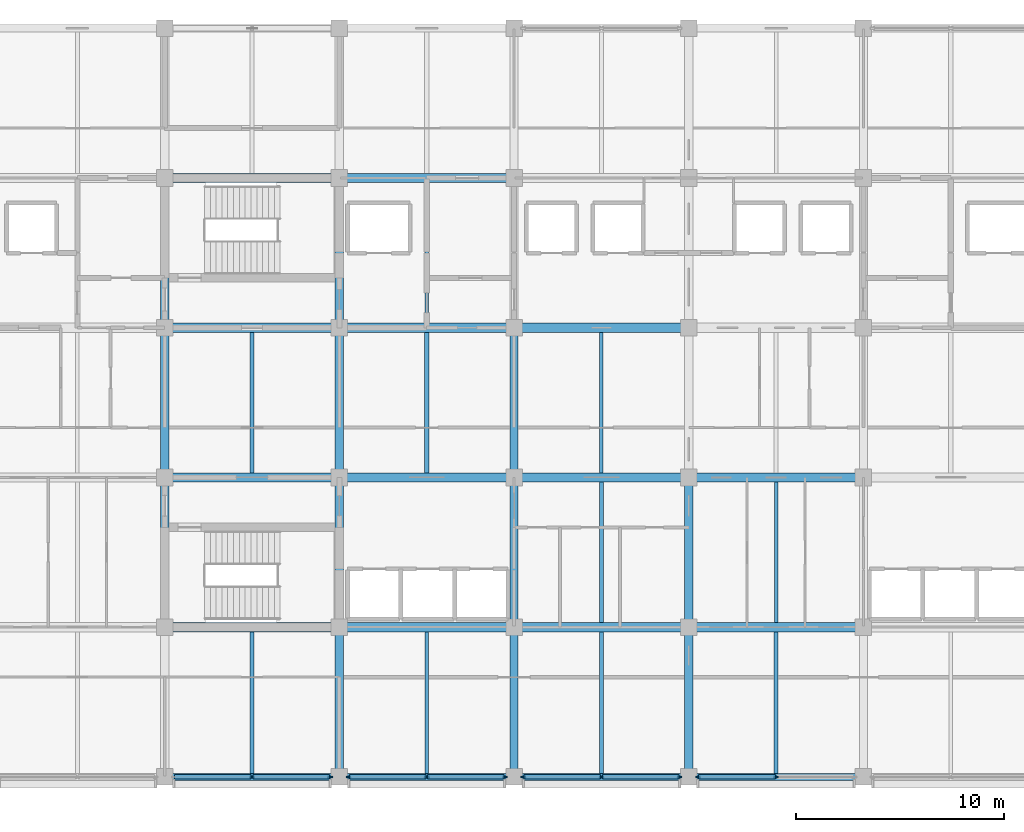
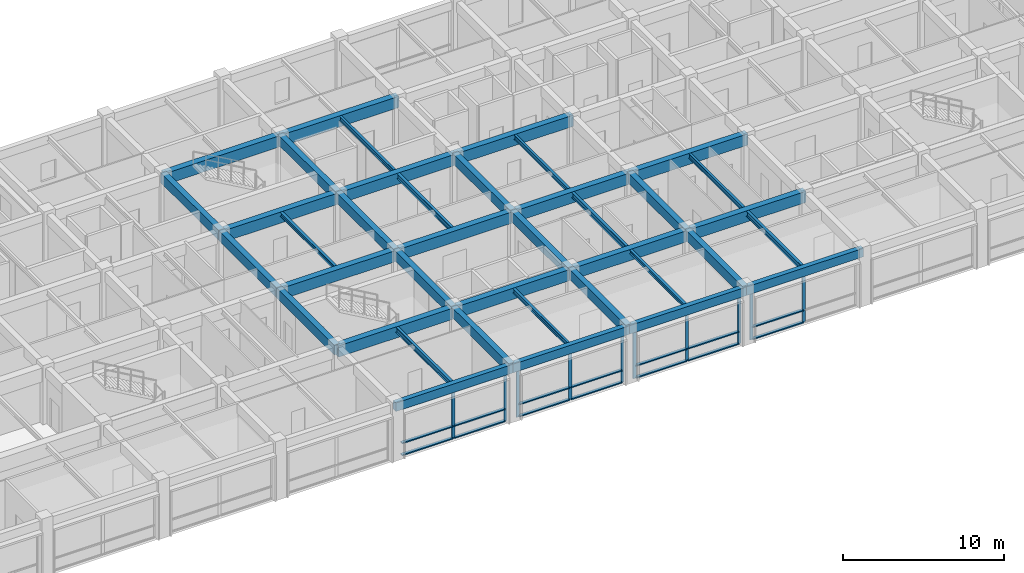
# One storey, part 4 of 30: 39 beams, 31 members, 4 elements without a shape of their own.
"""IFC4 building model written with IfcOpenShell, lengths in metres."""

from ifc_helpers import new_model, si_unit, direction, frame, origin, origin_2d, place, context, subcontext, project, spatial, rectangle, i_section, extrude, material, layer, layer_set, material_profile, profile_set, type_object, element, aggregate, save


model = new_model("IFC4")

# Units and contexts
model_context = context("Model", 3, precision=1e-05, world=origin(), true_north=direction((0.0, 1.0)))
body_context = subcontext(model_context, "Body", "Model", "MODEL_VIEW")
ifc_project = project(units=[si_unit("LENGTHUNIT", "METRE"), si_unit("AREAUNIT", "SQUARE_METRE"), si_unit("VOLUMEUNIT", "CUBIC_METRE"), si_unit("PLANEANGLEUNIT", "RADIAN"), si_unit("MASSUNIT", "GRAM", prefix="KILO")], contexts=[model_context])

# Site, building, storey
site_placement = place(None, origin())
site = spatial("IfcSite", under=ifc_project, at=site_placement, CompositionType="ELEMENT")
building_placement = place(site_placement, origin())
building = spatial("IfcBuilding", under=site, at=building_placement, Name="Chengyuan Square Courthouse", CompositionType="ELEMENT")
storey_placement = place(building_placement, frame((0.0, 0.0, 26.10009765625)))
storey = spatial("IfcBuildingStorey", under=building, at=storey_placement, Name="L06", CompositionType="ELEMENT", Elevation=26.10009765625)

# Beams
ifc_material_1 = material(Name="Concrete C40", Category="concrete")
ifc_material_profile_1 = material_profile(ifc_material_1, rectangle(XDim=0.449951171875, YDim=0.85009765625, at=origin_2d()), Name="RC-BM-450x850")
ifc_profile_set_1 = profile_set([ifc_material_profile_1], Name="Concrete C40")
beam_type_1 = type_object("IfcBeamType", Name="BM-01", PredefinedType="USERDEFINED", material=ifc_profile_set_1)
beam_1_placement = place(storey_placement, frame((58.800048828125, 86.39990234375, 3.81494140625), z_axis=(1.0, 0.0, 0.0), x_axis=(0.0, 1.0, 0.0)))
element("IfcBeam", 1, at=beam_1_placement, inside=storey, type_object=beam_type_1, Name="Girder BM-L06-3403", ObjectType="GIRDER", PredefinedType="USERDEFINED", context=body_context, shape_type="SweptSolid", body=[
    extrude(rectangle(XDim=0.449951171875, YDim=0.85009765625, at=origin_2d()), origin(), (0.0, 0.0, 1.0), 8.39990234375),
])
beam_2_placement = place(storey_placement, frame((67.199951171875, 86.39990234375, 3.81494140625), z_axis=(1.0, 0.0, 0.0), x_axis=(0.0, 1.0, 0.0)))
element("IfcBeam", 2, at=beam_2_placement, inside=storey, type_object=beam_type_1, Name="Girder BM-L06-3404", ObjectType="GIRDER", PredefinedType="USERDEFINED", context=body_context, shape_type="SweptSolid", body=[
    extrude(rectangle(XDim=0.449951171875, YDim=0.85009765625, at=origin_2d()), origin(), (0.0, 0.0, 1.0), 8.400146484375),
])
for number, where, z_axis, x_axis, name in (
    (3, (75.60009765625, 86.39990234375, 3.81494140625), (1.0, 0.0, 0.0), (0.0, 1.0, 0.0), "Girder BM-L06-3405"),
    (4, (84.0, 86.39990234375, 3.81494140625), (1.0, 0.0, 0.0), (0.0, 1.0, 0.0), "Girder BM-L06-3406"),
    (5, (58.800048828125, 93.60009765625, 3.81494140625), (1.0, 0.0, 0.0), (0.0, 1.0, 0.0), "Girder BM-L06-3415"),
):
    element("IfcBeam", number, at=place(storey_placement, frame(where, z_axis=z_axis, x_axis=x_axis)), inside=storey, type_object=beam_type_1, Name=name, ObjectType="GIRDER", PredefinedType="USERDEFINED", context=body_context, shape_type="SweptSolid", body=[
        extrude(rectangle(XDim=0.449951171875, YDim=0.85009765625, at=origin_2d()), origin(), (0.0, 0.0, 1.0), 8.39990234375),
    ])
beam_3_placement = place(storey_placement, frame((67.199951171875, 93.60009765625, 3.81494140625), z_axis=(1.0, 0.0, 0.0), x_axis=(0.0, 1.0, 0.0)))
element("IfcBeam", 6, at=beam_3_placement, inside=storey, type_object=beam_type_1, Name="Girder BM-L06-3416", ObjectType="GIRDER", PredefinedType="USERDEFINED", context=body_context, shape_type="SweptSolid", body=[
    extrude(rectangle(XDim=0.449951171875, YDim=0.85009765625, at=origin_2d()), origin(), (0.0, 0.0, 1.0), 8.400146484375),
])
for number, where, z_axis, x_axis, name in (
    (7, (75.60009765625, 93.60009765625, 3.81494140625), (1.0, 0.0, 0.0), (0.0, 1.0, 0.0), "Girder BM-L06-3417"),
    (8, (84.0, 93.60009765625, 3.81494140625), (1.0, 0.0, 0.0), (0.0, 1.0, 0.0), "Girder BM-L06-3418"),
    (9, (58.800048828125, 100.800048828125, 3.81494140625), (1.0, 0.0, 0.0), (0.0, 1.0, 0.0), "Girder BM-L06-3428"),
):
    element("IfcBeam", number, at=place(storey_placement, frame(where, z_axis=z_axis, x_axis=x_axis)), inside=storey, type_object=beam_type_1, Name=name, ObjectType="GIRDER", PredefinedType="USERDEFINED", context=body_context, shape_type="SweptSolid", body=[
        extrude(rectangle(XDim=0.449951171875, YDim=0.85009765625, at=origin_2d()), origin(), (0.0, 0.0, 1.0), 8.39990234375),
    ])
beam_4_placement = place(storey_placement, frame((67.199951171875, 100.800048828125, 3.81494140625), z_axis=(1.0, 0.0, 0.0), x_axis=(0.0, 1.0, 0.0)))
element("IfcBeam", 10, at=beam_4_placement, inside=storey, type_object=beam_type_1, Name="Girder BM-L06-3429", ObjectType="GIRDER", PredefinedType="USERDEFINED", context=body_context, shape_type="SweptSolid", body=[
    extrude(rectangle(XDim=0.449951171875, YDim=0.85009765625, at=origin_2d()), origin(), (0.0, 0.0, 1.0), 8.400146484375),
])
for number, where, z_axis, x_axis, name in (
    (11, (75.60009765625, 100.800048828125, 3.81494140625), (1.0, 0.0, 0.0), (0.0, 1.0, 0.0), "Girder BM-L06-3430"),
    (12, (58.800048828125, 108.0, 3.81494140625), (1.0, 0.0, 0.0), (0.0, 1.0, 0.0), "Girder BM-L06-3442"),
):
    element("IfcBeam", number, at=place(storey_placement, frame(where, z_axis=z_axis, x_axis=x_axis)), inside=storey, type_object=beam_type_1, Name=name, ObjectType="GIRDER", PredefinedType="USERDEFINED", context=body_context, shape_type="SweptSolid", body=[
        extrude(rectangle(XDim=0.449951171875, YDim=0.85009765625, at=origin_2d()), origin(), (0.0, 0.0, 1.0), 8.39990234375),
    ])
beam_5_placement = place(storey_placement, frame((67.199951171875, 108.0, 3.81494140625), z_axis=(1.0, 0.0, 0.0), x_axis=(0.0, 1.0, 0.0)))
element("IfcBeam", 13, at=beam_5_placement, inside=storey, type_object=beam_type_1, Name="Girder BM-L06-3443", ObjectType="GIRDER", PredefinedType="USERDEFINED", context=body_context, shape_type="SweptSolid", body=[
    extrude(rectangle(XDim=0.449951171875, YDim=0.85009765625, at=origin_2d()), origin(), (0.0, 0.0, 1.0), 8.400146484375),
])
ifc_material_profile_2 = material_profile(ifc_material_1, rectangle(XDim=0.39990234375, YDim=0.75, at=origin_2d()), Name="RC-BM-400x750")
ifc_profile_set_2 = profile_set([ifc_material_profile_2], Name="Concrete C40")
beam_type_2 = type_object("IfcBeamType", Name="BM-02", PredefinedType="USERDEFINED", material=ifc_profile_set_2)
beam_6_placement = place(storey_placement, frame((58.800048828125, 86.39990234375, 3.864990234375), z_axis=(0.0, 1.0, 0.0), x_axis=(-1.0, 0.0, 0.0)))
element("IfcBeam", 14, at=beam_6_placement, inside=storey, type_object=beam_type_2, Name="Girder BM-L06-3475", ObjectType="GIRDER", PredefinedType="USERDEFINED", context=body_context, shape_type="SweptSolid", body=[
    extrude(rectangle(XDim=0.39990234375, YDim=0.75, at=origin_2d()), origin(), (0.0, 0.0, 1.0), 7.2001953125),
])
for number, where, z_axis, x_axis, name in (
    (15, (58.800048828125, 93.60009765625, 3.864990234375), (0.0, 1.0, 0.0), (-1.0, 0.0, 0.0), "Girder BM-L06-3476"),
    (16, (58.800048828125, 100.800048828125, 3.864990234375), (0.0, 1.0, 0.0), (-1.0, 0.0, 0.0), "Girder BM-L06-3477"),
    (17, (67.199951171875, 79.199951171875, 3.864990234375), (0.0, 1.0, 0.0), (-1.0, 0.0, 0.0), "Girder BM-L06-3479"),
):
    element("IfcBeam", number, at=place(storey_placement, frame(where, z_axis=z_axis, x_axis=x_axis)), inside=storey, type_object=beam_type_2, Name=name, ObjectType="GIRDER", PredefinedType="USERDEFINED", context=body_context, shape_type="SweptSolid", body=[
        extrude(rectangle(XDim=0.39990234375, YDim=0.75, at=origin_2d()), origin(), (0.0, 0.0, 1.0), 7.199951171875),
    ])
beam_7_placement = place(storey_placement, frame((67.199951171875, 86.39990234375, 3.864990234375), z_axis=(0.0, 1.0, 0.0), x_axis=(-1.0, 0.0, 0.0)))
element("IfcBeam", 18, at=beam_7_placement, inside=storey, type_object=beam_type_2, Name="Girder BM-L06-3480", ObjectType="GIRDER", PredefinedType="USERDEFINED", context=body_context, shape_type="SweptSolid", body=[
    extrude(rectangle(XDim=0.39990234375, YDim=0.75, at=origin_2d()), origin(), (0.0, 0.0, 1.0), 7.2001953125),
])
for number, where, z_axis, x_axis, name in (
    (19, (67.199951171875, 93.60009765625, 3.864990234375), (0.0, 1.0, 0.0), (-1.0, 0.0, 0.0), "Girder BM-L06-3481"),
    (20, (67.199951171875, 100.800048828125, 3.864990234375), (0.0, 1.0, 0.0), (-1.0, 0.0, 0.0), "Girder BM-L06-3482"),
    (21, (75.60009765625, 79.199951171875, 3.864990234375), (0.0, 1.0, 0.0), (-1.0, 0.0, 0.0), "Girder BM-L06-3484"),
):
    element("IfcBeam", number, at=place(storey_placement, frame(where, z_axis=z_axis, x_axis=x_axis)), inside=storey, type_object=beam_type_2, Name=name, ObjectType="GIRDER", PredefinedType="USERDEFINED", context=body_context, shape_type="SweptSolid", body=[
        extrude(rectangle(XDim=0.39990234375, YDim=0.75, at=origin_2d()), origin(), (0.0, 0.0, 1.0), 7.199951171875),
    ])
beam_8_placement = place(storey_placement, frame((75.60009765625, 86.39990234375, 3.864990234375), z_axis=(0.0, 1.0, 0.0), x_axis=(-1.0, 0.0, 0.0)))
element("IfcBeam", 22, at=beam_8_placement, inside=storey, type_object=beam_type_2, Name="Girder BM-L06-3485", ObjectType="GIRDER", PredefinedType="USERDEFINED", context=body_context, shape_type="SweptSolid", body=[
    extrude(rectangle(XDim=0.39990234375, YDim=0.75, at=origin_2d()), origin(), (0.0, 0.0, 1.0), 7.2001953125),
])
for number, where, z_axis, x_axis, name in (
    (23, (75.60009765625, 93.60009765625, 3.864990234375), (0.0, 1.0, 0.0), (-1.0, 0.0, 0.0), "Girder BM-L06-3486"),
    (24, (84.0, 79.199951171875, 3.864990234375), (0.0, 1.0, 0.0), (-1.0, 0.0, 0.0), "Girder BM-L06-3489"),
):
    element("IfcBeam", number, at=place(storey_placement, frame(where, z_axis=z_axis, x_axis=x_axis)), inside=storey, type_object=beam_type_2, Name=name, ObjectType="GIRDER", PredefinedType="USERDEFINED", context=body_context, shape_type="SweptSolid", body=[
        extrude(rectangle(XDim=0.39990234375, YDim=0.75, at=origin_2d()), origin(), (0.0, 0.0, 1.0), 7.199951171875),
    ])
beam_9_placement = place(storey_placement, frame((84.0, 86.39990234375, 3.864990234375), z_axis=(0.0, 1.0, 0.0), x_axis=(-1.0, 0.0, 0.0)))
element("IfcBeam", 25, at=beam_9_placement, inside=storey, type_object=beam_type_2, Name="Girder BM-L06-3490", ObjectType="GIRDER", PredefinedType="USERDEFINED", context=body_context, shape_type="SweptSolid", body=[
    extrude(rectangle(XDim=0.39990234375, YDim=0.75, at=origin_2d()), origin(), (0.0, 0.0, 1.0), 7.2001953125),
])
ifc_material_profile_3 = material_profile(ifc_material_1, rectangle(XDim=0.35009765625, YDim=0.64990234375, at=origin_2d()), Name="RC-BM-350x650")
ifc_profile_set_3 = profile_set([ifc_material_profile_3], Name="Concrete C40")
beam_type_3 = type_object("IfcBeamType", Name="BM-03", PredefinedType="SPANDREL", material=ifc_profile_set_3)
beam_10_placement = place(storey_placement, frame((58.800048828125, 79.199951171875, 3.914794921875), z_axis=(1.0, 0.0, 0.0), x_axis=(0.0, 1.0, 0.0)))
element("IfcBeam", 26, at=beam_10_placement, inside=storey, type_object=beam_type_3, Name="Girder BM-L06-3390", PredefinedType="SPANDREL", context=body_context, shape_type="SweptSolid", body=[
    extrude(rectangle(XDim=0.35009765625, YDim=0.64990234375, at=origin_2d()), origin(), (0.0, 0.0, 1.0), 8.39990234375),
])
beam_11_placement = place(storey_placement, frame((67.199951171875, 79.199951171875, 3.914794921875), z_axis=(1.0, 0.0, 0.0), x_axis=(0.0, 1.0, 0.0)))
element("IfcBeam", 27, at=beam_11_placement, inside=storey, type_object=beam_type_3, Name="Girder BM-L06-3391", PredefinedType="SPANDREL", context=body_context, shape_type="SweptSolid", body=[
    extrude(rectangle(XDim=0.35009765625, YDim=0.64990234375, at=origin_2d()), origin(), (0.0, 0.0, 1.0), 8.400146484375),
])
for number, where, z_axis, x_axis, name in (
    (28, (75.60009765625, 79.199951171875, 3.914794921875), (1.0, 0.0, 0.0), (0.0, 1.0, 0.0), "Girder BM-L06-3392"),
    (29, (84.0, 79.199951171875, 3.914794921875), (1.0, 0.0, 0.0), (0.0, 1.0, 0.0), "Girder BM-L06-3393"),
):
    element("IfcBeam", number, at=place(storey_placement, frame(where, z_axis=z_axis, x_axis=x_axis)), inside=storey, type_object=beam_type_3, Name=name, PredefinedType="SPANDREL", context=body_context, shape_type="SweptSolid", body=[
        extrude(rectangle(XDim=0.35009765625, YDim=0.64990234375, at=origin_2d()), origin(), (0.0, 0.0, 1.0), 8.39990234375),
    ])
ifc_material_2 = material(Name="Steel Q355B", Category="steel")
ifc_material_profile_4 = material_profile(ifc_material_2, i_section(OverallWidth=0.199951171875, OverallDepth=0.39990234375, WebThickness=0.008056640625, FlangeThickness=0.012939453125, at=origin_2d()), Name="HN 400x200x8x13")
ifc_profile_set_4 = profile_set([ifc_material_profile_4], Name="Steel Q355B")
beam_type_4 = type_object("IfcBeamType", Name="BM-07", PredefinedType="BEAM", material=ifc_profile_set_4)
beam_12_placement = place(storey_placement, frame((63.0, 79.375, 4.039794921875), z_axis=(0.0, 1.0, 0.0), x_axis=(-1.0, 0.0, 0.0)))
element("IfcBeam", 30, at=beam_12_placement, inside=storey, type_object=beam_type_4, Name="Secondary Floor Beam SBM-L06-3539", PredefinedType="BEAM", context=body_context, shape_type="SweptSolid", body=[
    extrude(i_section(OverallWidth=0.199951171875, OverallDepth=0.39990234375, WebThickness=0.008056640625, FlangeThickness=0.012939453125, at=origin_2d()), origin(), (0.0, 0.0, 1.0), 6.800048828125),
])
for number, where, z_axis, x_axis, name in (
    (31, (71.39990234375, 93.824951171875, 4.039794921875), (0.0, 1.0, 0.0), (-1.0, 0.0, 0.0), "Secondary Floor Beam SBM-L06-3543"),
    (32, (79.800048828125, 86.625, 4.039794921875), (0.0, 1.0, 0.0), (-1.0, 0.0, 0.0), "Secondary Floor Beam SBM-L06-3547"),
):
    element("IfcBeam", number, at=place(storey_placement, frame(where, z_axis=z_axis, x_axis=x_axis)), inside=storey, type_object=beam_type_4, Name=name, PredefinedType="BEAM", context=body_context, shape_type="SweptSolid", body=[
        extrude(i_section(OverallWidth=0.199951171875, OverallDepth=0.39990234375, WebThickness=0.008056640625, FlangeThickness=0.012939453125, at=origin_2d()), origin(), (0.0, 0.0, 1.0), 6.75),
    ])
beam_13_placement = place(storey_placement, frame((88.199951171875, 79.375, 4.039794921875), z_axis=(0.0, 1.0, 0.0), x_axis=(-1.0, 0.0, 0.0)))
element("IfcBeam", 33, at=beam_13_placement, inside=storey, type_object=beam_type_4, Name="Secondary Floor Beam SBM-L06-3550", PredefinedType="BEAM", context=body_context, shape_type="SweptSolid", body=[
    extrude(i_section(OverallWidth=0.199951171875, OverallDepth=0.39990234375, WebThickness=0.008056640625, FlangeThickness=0.012939453125, at=origin_2d()), origin(), (0.0, 0.0, 1.0), 6.800048828125),
])
ifc_material_profile_5 = material_profile(ifc_material_2, i_section(OverallWidth=0.175048828125, OverallDepth=0.35009765625, WebThickness=0.007080078125, FlangeThickness=0.010986328125, at=origin_2d()), Name="HN 350x175x7x11")
ifc_profile_set_5 = profile_set([ifc_material_profile_5], Name="Steel Q355B")
beam_type_5 = type_object("IfcBeamType", Name="BM-08", PredefinedType="BEAM", material=ifc_profile_set_5)
beam_14_placement = place(storey_placement, frame((71.39990234375, 79.375, 4.06494140625), z_axis=(0.0, 1.0, 0.0), x_axis=(-1.0, 0.0, 0.0)))
element("IfcBeam", 34, at=beam_14_placement, inside=storey, type_object=beam_type_5, Name="Secondary Floor Beam SBM-L06-3542", PredefinedType="BEAM", context=body_context, shape_type="SweptSolid", body=[
    extrude(i_section(OverallWidth=0.175048828125, OverallDepth=0.35009765625, WebThickness=0.007080078125, FlangeThickness=0.010986328125, at=origin_2d()), origin(), (0.0, 0.0, 1.0), 6.800048828125),
])
for number, where, z_axis, x_axis, name in (
    (35, (71.39990234375, 101.02490234375, 4.06494140625), (0.0, 1.0, 0.0), (-1.0, 0.0, 0.0), "Secondary Floor Beam SBM-L06-3544"),
    (36, (79.800048828125, 93.824951171875, 4.06494140625), (0.0, 1.0, 0.0), (-1.0, 0.0, 0.0), "Secondary Floor Beam SBM-L06-3548"),
    (37, (88.199951171875, 86.625, 4.06494140625), (0.0, 1.0, 0.0), (-1.0, 0.0, 0.0), "Secondary Floor Beam SBM-L06-3551"),
):
    element("IfcBeam", number, at=place(storey_placement, frame(where, z_axis=z_axis, x_axis=x_axis)), inside=storey, type_object=beam_type_5, Name=name, PredefinedType="BEAM", context=body_context, shape_type="SweptSolid", body=[
        extrude(i_section(OverallWidth=0.175048828125, OverallDepth=0.35009765625, WebThickness=0.007080078125, FlangeThickness=0.010986328125, at=origin_2d()), origin(), (0.0, 0.0, 1.0), 6.75),
    ])
ifc_material_profile_6 = material_profile(ifc_material_2, i_section(OverallWidth=0.199951171875, OverallDepth=0.300048828125, WebThickness=0.008056640625, FlangeThickness=0.011962890625, at=origin_2d()), Name="HM 300x200x8x12")
ifc_profile_set_6 = profile_set([ifc_material_profile_6], Name="Steel Q355B")
beam_type_6 = type_object("IfcBeamType", Name="BM-09", PredefinedType="BEAM", material=ifc_profile_set_6)
beam_15_placement = place(storey_placement, frame((63.0, 93.824951171875, 4.08984375), z_axis=(0.0, 1.0, 0.0), x_axis=(-1.0, 0.0, 0.0)))
element("IfcBeam", 38, at=beam_15_placement, inside=storey, type_object=beam_type_6, Name="Secondary Floor Beam SBM-L06-3540", PredefinedType="BEAM", context=body_context, shape_type="SweptSolid", body=[
    extrude(i_section(OverallWidth=0.199951171875, OverallDepth=0.300048828125, WebThickness=0.008056640625, FlangeThickness=0.011962890625, at=origin_2d()), origin(), (0.0, 0.0, 1.0), 6.75),
])
beam_16_placement = place(storey_placement, frame((79.800048828125, 79.375, 4.08984375), z_axis=(0.0, 1.0, 0.0), x_axis=(-1.0, 0.0, 0.0)))
element("IfcBeam", 39, at=beam_16_placement, inside=storey, type_object=beam_type_6, Name="Secondary Floor Beam SBM-L06-3546", PredefinedType="BEAM", context=body_context, shape_type="SweptSolid", body=[
    extrude(i_section(OverallWidth=0.199951171875, OverallDepth=0.300048828125, WebThickness=0.008056640625, FlangeThickness=0.011962890625, at=origin_2d()), origin(), (0.0, 0.0, 1.0), 6.800048828125),
])

# Curtain wall, members
ifc_material_3 = material(Name="Unitised Aluminium and Triple Low-E Glass", Category="aluminium")
ifc_layer = layer(ifc_material_3, 0.219970703125)
ifc_layer_set = layer_set([ifc_layer], Name="Unitised Aluminium and Triple Low-E Glass")
curtain_wall_type = type_object("IfcCurtainWallType", Name="CW-16", PredefinedType="USERDEFINED", material=ifc_layer_set)
curtain_wall_1_placement = place(storey_placement, origin())
curtain_wall_1 = element("IfcCurtainWall", 40, at=curtain_wall_1_placement, inside=storey, type_object=curtain_wall_type, Name="Unitised Curtain Wall CW-L06-187", ObjectType="UNITISED CURTAIN WALL", PredefinedType="USERDEFINED")
ifc_material_4 = material(Name="Aluminium 6063-T6 Frame", Category="aluminium")
ifc_material_profile_7 = material_profile(ifc_material_4, rectangle(XDim=0.080078125, YDim=0.219970703125, at=origin_2d()), Name="CW-MUL-80x220")
ifc_profile_set_7 = profile_set([ifc_material_profile_7], Name="Aluminium 6063-T6 Frame")
member_type_1 = type_object("IfcMemberType", Name="CWM-04", PredefinedType="MULLION", material=ifc_profile_set_7)
member_1_placement = place(storey_placement, frame((63.0, 79.199951171875, 0.0), z_axis=(0.0, 0.0, 1.0), x_axis=(0.0, 1.0, 0.0)))
member_1 = element("IfcMember", 41, at=member_1_placement, type_object=member_type_1, Name="CW-16 mullion 2", PredefinedType="MULLION", context=body_context, shape_type="SweptSolid", body=[
    extrude(rectangle(XDim=0.080078125, YDim=0.219970703125, at=origin_2d()), origin(), (0.0, 0.0, 1.0), 3.58984375),
])
member_2_placement = place(storey_placement, frame((66.760009765625, 79.199951171875, 0.0), z_axis=(0.0, 0.0, 1.0), x_axis=(0.0, 1.0, 0.0)))
member_2 = element("IfcMember", 42, at=member_2_placement, type_object=member_type_1, Name="CW-16 mullion 3", PredefinedType="MULLION", context=body_context, shape_type="SweptSolid", body=[
    extrude(rectangle(XDim=0.080078125, YDim=0.219970703125, at=origin_2d()), origin(), (0.0, 0.0, 1.0), 3.58984375),
])

curtain_wall_2_placement = place(storey_placement, origin())
curtain_wall_2 = element("IfcCurtainWall", 43, at=curtain_wall_2_placement, inside=storey, type_object=curtain_wall_type, Name="Unitised Curtain Wall CW-L06-188", ObjectType="UNITISED CURTAIN WALL", PredefinedType="USERDEFINED")
member_3_placement = place(storey_placement, frame((67.639892578125, 79.199951171875, 0.0), z_axis=(0.0, 0.0, 1.0), x_axis=(0.0, 1.0, 0.0)))
member_3 = element("IfcMember", 44, at=member_3_placement, type_object=member_type_1, Name="CW-16 mullion 1", PredefinedType="MULLION", context=body_context, shape_type="SweptSolid", body=[
    extrude(rectangle(XDim=0.080078125, YDim=0.219970703125, at=origin_2d()), origin(), (0.0, 0.0, 1.0), 3.58984375),
])
member_4_placement = place(storey_placement, frame((71.39990234375, 79.199951171875, 0.0), z_axis=(0.0, 0.0, 1.0), x_axis=(0.0, 1.0, 0.0)))
member_4 = element("IfcMember", 45, at=member_4_placement, type_object=member_type_1, Name="CW-16 mullion 2", PredefinedType="MULLION", context=body_context, shape_type="SweptSolid", body=[
    extrude(rectangle(XDim=0.080078125, YDim=0.219970703125, at=origin_2d()), origin(), (0.0, 0.0, 1.0), 3.58984375),
])
member_5_placement = place(storey_placement, frame((75.159912109375, 79.199951171875, 0.0), z_axis=(0.0, 0.0, 1.0), x_axis=(0.0, 1.0, 0.0)))
member_5 = element("IfcMember", 46, at=member_5_placement, type_object=member_type_1, Name="CW-16 mullion 3", PredefinedType="MULLION", context=body_context, shape_type="SweptSolid", body=[
    extrude(rectangle(XDim=0.080078125, YDim=0.219970703125, at=origin_2d()), origin(), (0.0, 0.0, 1.0), 3.58984375),
])

curtain_wall_3_placement = place(storey_placement, origin())
curtain_wall_3 = element("IfcCurtainWall", 47, at=curtain_wall_3_placement, inside=storey, type_object=curtain_wall_type, Name="Unitised Curtain Wall CW-L06-189", ObjectType="UNITISED CURTAIN WALL", PredefinedType="USERDEFINED")
member_6_placement = place(storey_placement, frame((76.0400390625, 79.199951171875, 0.0), z_axis=(0.0, 0.0, 1.0), x_axis=(0.0, 1.0, 0.0)))
member_6 = element("IfcMember", 48, at=member_6_placement, type_object=member_type_1, Name="CW-16 mullion 1", PredefinedType="MULLION", context=body_context, shape_type="SweptSolid", body=[
    extrude(rectangle(XDim=0.080078125, YDim=0.219970703125, at=origin_2d()), origin(), (0.0, 0.0, 1.0), 3.58984375),
])
member_7_placement = place(storey_placement, frame((79.800048828125, 79.199951171875, 0.0), z_axis=(0.0, 0.0, 1.0), x_axis=(0.0, 1.0, 0.0)))
member_7 = element("IfcMember", 49, at=member_7_placement, type_object=member_type_1, Name="CW-16 mullion 2", PredefinedType="MULLION", context=body_context, shape_type="SweptSolid", body=[
    extrude(rectangle(XDim=0.080078125, YDim=0.219970703125, at=origin_2d()), origin(), (0.0, 0.0, 1.0), 3.58984375),
])
member_8_placement = place(storey_placement, frame((83.56005859375, 79.199951171875, 0.0), z_axis=(0.0, 0.0, 1.0), x_axis=(0.0, 1.0, 0.0)))
member_8 = element("IfcMember", 50, at=member_8_placement, type_object=member_type_1, Name="CW-16 mullion 3", PredefinedType="MULLION", context=body_context, shape_type="SweptSolid", body=[
    extrude(rectangle(XDim=0.080078125, YDim=0.219970703125, at=origin_2d()), origin(), (0.0, 0.0, 1.0), 3.58984375),
])

curtain_wall_4_placement = place(storey_placement, origin())
curtain_wall_4 = element("IfcCurtainWall", 51, at=curtain_wall_4_placement, inside=storey, type_object=curtain_wall_type, Name="Unitised Curtain Wall CW-L06-191", ObjectType="UNITISED CURTAIN WALL", PredefinedType="USERDEFINED")
member_9_placement = place(storey_placement, frame((84.43994140625, 79.199951171875, 0.0), z_axis=(0.0, 0.0, 1.0), x_axis=(0.0, 1.0, 0.0)))
member_9 = element("IfcMember", 52, at=member_9_placement, type_object=member_type_1, Name="CW-16 mullion 1", PredefinedType="MULLION", context=body_context, shape_type="SweptSolid", body=[
    extrude(rectangle(XDim=0.080078125, YDim=0.219970703125, at=origin_2d()), origin(), (0.0, 0.0, 1.0), 3.58984375),
])
member_10_placement = place(storey_placement, frame((88.199951171875, 79.199951171875, 0.0), z_axis=(0.0, 0.0, 1.0), x_axis=(0.0, 1.0, 0.0)))
member_10 = element("IfcMember", 53, at=member_10_placement, type_object=member_type_1, Name="CW-16 mullion 2", PredefinedType="MULLION", context=body_context, shape_type="SweptSolid", body=[
    extrude(rectangle(XDim=0.080078125, YDim=0.219970703125, at=origin_2d()), origin(), (0.0, 0.0, 1.0), 3.58984375),
])

# Member
ifc_material_profile_8 = material_profile(ifc_material_4, rectangle(XDim=0.219970703125, YDim=0.080078125, at=origin_2d()), Name="CW-TRN-80x180")
ifc_profile_set_8 = profile_set([ifc_material_profile_8], Name="Aluminium 6063-T6 Frame")
member_type_2 = type_object("IfcMemberType", Name="CWT-04", PredefinedType="USERDEFINED", material=ifc_profile_set_8)
member_11_placement = place(storey_placement, frame((59.280029296875, 79.199951171875, 0.039794921875), z_axis=(1.0, 0.0, 0.0), x_axis=(0.0, 1.0, 0.0)))
member_11 = element("IfcMember", 54, at=member_11_placement, type_object=member_type_2, Name="CW-16 transom 1.1", ObjectType="TRANSOM", PredefinedType="USERDEFINED", context=body_context, shape_type="SweptSolid", body=[
    extrude(rectangle(XDim=0.219970703125, YDim=0.080078125, at=origin_2d()), origin(), (0.0, 0.0, 1.0), 3.679931640625),
])

member_12_placement = place(storey_placement, frame((59.280029296875, 79.199951171875, 0.949951171875), z_axis=(1.0, 0.0, 0.0), x_axis=(0.0, 1.0, 0.0)))
member_12 = element("IfcMember", 55, at=member_12_placement, type_object=member_type_2, Name="CW-16 transom 1.2", ObjectType="TRANSOM", PredefinedType="USERDEFINED", context=body_context, shape_type="SweptSolid", body=[
    extrude(rectangle(XDim=0.219970703125, YDim=0.080078125, at=origin_2d()), origin(), (0.0, 0.0, 1.0), 3.679931640625),
])

member_13_placement = place(storey_placement, frame((59.280029296875, 79.199951171875, 3.5498046875), z_axis=(1.0, 0.0, 0.0), x_axis=(0.0, 1.0, 0.0)))
member_13 = element("IfcMember", 56, at=member_13_placement, type_object=member_type_2, Name="CW-16 transom 1.3", ObjectType="TRANSOM", PredefinedType="USERDEFINED", context=body_context, shape_type="SweptSolid", body=[
    extrude(rectangle(XDim=0.219970703125, YDim=0.080078125, at=origin_2d()), origin(), (0.0, 0.0, 1.0), 3.679931640625),
])

member_14_placement = place(storey_placement, frame((63.0400390625, 79.199951171875, 0.039794921875), z_axis=(1.0, 0.0, 0.0), x_axis=(0.0, 1.0, 0.0)))
member_14 = element("IfcMember", 57, at=member_14_placement, type_object=member_type_2, Name="CW-16 transom 2.1", ObjectType="TRANSOM", PredefinedType="USERDEFINED", context=body_context, shape_type="SweptSolid", body=[
    extrude(rectangle(XDim=0.219970703125, YDim=0.080078125, at=origin_2d()), origin(), (0.0, 0.0, 1.0), 3.679931640625),
])

member_15_placement = place(storey_placement, frame((63.0400390625, 79.199951171875, 0.949951171875), z_axis=(1.0, 0.0, 0.0), x_axis=(0.0, 1.0, 0.0)))
member_15 = element("IfcMember", 58, at=member_15_placement, type_object=member_type_2, Name="CW-16 transom 2.2", ObjectType="TRANSOM", PredefinedType="USERDEFINED", context=body_context, shape_type="SweptSolid", body=[
    extrude(rectangle(XDim=0.219970703125, YDim=0.080078125, at=origin_2d()), origin(), (0.0, 0.0, 1.0), 3.679931640625),
])

member_16_placement = place(storey_placement, frame((63.0400390625, 79.199951171875, 3.5498046875), z_axis=(1.0, 0.0, 0.0), x_axis=(0.0, 1.0, 0.0)))
member_16 = element("IfcMember", 59, at=member_16_placement, type_object=member_type_2, Name="CW-16 transom 2.3", ObjectType="TRANSOM", PredefinedType="USERDEFINED", context=body_context, shape_type="SweptSolid", body=[
    extrude(rectangle(XDim=0.219970703125, YDim=0.080078125, at=origin_2d()), origin(), (0.0, 0.0, 1.0), 3.679931640625),
])

aggregate(curtain_wall_1, [member_1, member_2, member_11, member_12, member_13, member_14, member_15, member_16])

member_17_placement = place(storey_placement, frame((67.679931640625, 79.199951171875, 0.039794921875), z_axis=(1.0, 0.0, 0.0), x_axis=(0.0, 1.0, 0.0)))
member_17 = element("IfcMember", 60, at=member_17_placement, type_object=member_type_2, Name="CW-16 transom 1.1", ObjectType="TRANSOM", PredefinedType="USERDEFINED", context=body_context, shape_type="SweptSolid", body=[
    extrude(rectangle(XDim=0.219970703125, YDim=0.080078125, at=origin_2d()), origin(), (0.0, 0.0, 1.0), 3.68017578125),
])

member_18_placement = place(storey_placement, frame((67.679931640625, 79.199951171875, 0.949951171875), z_axis=(1.0, 0.0, 0.0), x_axis=(0.0, 1.0, 0.0)))
member_18 = element("IfcMember", 61, at=member_18_placement, type_object=member_type_2, Name="CW-16 transom 1.2", ObjectType="TRANSOM", PredefinedType="USERDEFINED", context=body_context, shape_type="SweptSolid", body=[
    extrude(rectangle(XDim=0.219970703125, YDim=0.080078125, at=origin_2d()), origin(), (0.0, 0.0, 1.0), 3.68017578125),
])

member_19_placement = place(storey_placement, frame((67.679931640625, 79.199951171875, 3.5498046875), z_axis=(1.0, 0.0, 0.0), x_axis=(0.0, 1.0, 0.0)))
member_19 = element("IfcMember", 62, at=member_19_placement, type_object=member_type_2, Name="CW-16 transom 1.3", ObjectType="TRANSOM", PredefinedType="USERDEFINED", context=body_context, shape_type="SweptSolid", body=[
    extrude(rectangle(XDim=0.219970703125, YDim=0.080078125, at=origin_2d()), origin(), (0.0, 0.0, 1.0), 3.68017578125),
])

member_20_placement = place(storey_placement, frame((71.43994140625, 79.199951171875, 0.039794921875), z_axis=(1.0, 0.0, 0.0), x_axis=(0.0, 1.0, 0.0)))
member_20 = element("IfcMember", 63, at=member_20_placement, type_object=member_type_2, Name="CW-16 transom 2.1", ObjectType="TRANSOM", PredefinedType="USERDEFINED", context=body_context, shape_type="SweptSolid", body=[
    extrude(rectangle(XDim=0.219970703125, YDim=0.080078125, at=origin_2d()), origin(), (0.0, 0.0, 1.0), 3.68017578125),
])

member_21_placement = place(storey_placement, frame((71.43994140625, 79.199951171875, 0.949951171875), z_axis=(1.0, 0.0, 0.0), x_axis=(0.0, 1.0, 0.0)))
member_21 = element("IfcMember", 64, at=member_21_placement, type_object=member_type_2, Name="CW-16 transom 2.2", ObjectType="TRANSOM", PredefinedType="USERDEFINED", context=body_context, shape_type="SweptSolid", body=[
    extrude(rectangle(XDim=0.219970703125, YDim=0.080078125, at=origin_2d()), origin(), (0.0, 0.0, 1.0), 3.68017578125),
])

member_22_placement = place(storey_placement, frame((71.43994140625, 79.199951171875, 3.5498046875), z_axis=(1.0, 0.0, 0.0), x_axis=(0.0, 1.0, 0.0)))
member_22 = element("IfcMember", 65, at=member_22_placement, type_object=member_type_2, Name="CW-16 transom 2.3", ObjectType="TRANSOM", PredefinedType="USERDEFINED", context=body_context, shape_type="SweptSolid", body=[
    extrude(rectangle(XDim=0.219970703125, YDim=0.080078125, at=origin_2d()), origin(), (0.0, 0.0, 1.0), 3.68017578125),
])

aggregate(curtain_wall_2, [member_3, member_4, member_5, member_17, member_18, member_19, member_20, member_21, member_22])

member_23_placement = place(storey_placement, frame((76.080078125, 79.199951171875, 0.039794921875), z_axis=(1.0, 0.0, 0.0), x_axis=(0.0, 1.0, 0.0)))
member_23 = element("IfcMember", 66, at=member_23_placement, type_object=member_type_2, Name="CW-16 transom 1.1", ObjectType="TRANSOM", PredefinedType="USERDEFINED", context=body_context, shape_type="SweptSolid", body=[
    extrude(rectangle(XDim=0.219970703125, YDim=0.080078125, at=origin_2d()), origin(), (0.0, 0.0, 1.0), 3.679931640625),
])

member_24_placement = place(storey_placement, frame((76.080078125, 79.199951171875, 0.949951171875), z_axis=(1.0, 0.0, 0.0), x_axis=(0.0, 1.0, 0.0)))
member_24 = element("IfcMember", 67, at=member_24_placement, type_object=member_type_2, Name="CW-16 transom 1.2", ObjectType="TRANSOM", PredefinedType="USERDEFINED", context=body_context, shape_type="SweptSolid", body=[
    extrude(rectangle(XDim=0.219970703125, YDim=0.080078125, at=origin_2d()), origin(), (0.0, 0.0, 1.0), 3.679931640625),
])

member_25_placement = place(storey_placement, frame((76.080078125, 79.199951171875, 3.5498046875), z_axis=(1.0, 0.0, 0.0), x_axis=(0.0, 1.0, 0.0)))
member_25 = element("IfcMember", 68, at=member_25_placement, type_object=member_type_2, Name="CW-16 transom 1.3", ObjectType="TRANSOM", PredefinedType="USERDEFINED", context=body_context, shape_type="SweptSolid", body=[
    extrude(rectangle(XDim=0.219970703125, YDim=0.080078125, at=origin_2d()), origin(), (0.0, 0.0, 1.0), 3.679931640625),
])

member_26_placement = place(storey_placement, frame((79.840087890625, 79.199951171875, 0.039794921875), z_axis=(1.0, 0.0, 0.0), x_axis=(0.0, 1.0, 0.0)))
member_26 = element("IfcMember", 69, at=member_26_placement, type_object=member_type_2, Name="CW-16 transom 2.1", ObjectType="TRANSOM", PredefinedType="USERDEFINED", context=body_context, shape_type="SweptSolid", body=[
    extrude(rectangle(XDim=0.219970703125, YDim=0.080078125, at=origin_2d()), origin(), (0.0, 0.0, 1.0), 3.679931640625),
])

member_27_placement = place(storey_placement, frame((79.840087890625, 79.199951171875, 0.949951171875), z_axis=(1.0, 0.0, 0.0), x_axis=(0.0, 1.0, 0.0)))
member_27 = element("IfcMember", 70, at=member_27_placement, type_object=member_type_2, Name="CW-16 transom 2.2", ObjectType="TRANSOM", PredefinedType="USERDEFINED", context=body_context, shape_type="SweptSolid", body=[
    extrude(rectangle(XDim=0.219970703125, YDim=0.080078125, at=origin_2d()), origin(), (0.0, 0.0, 1.0), 3.679931640625),
])

member_28_placement = place(storey_placement, frame((79.840087890625, 79.199951171875, 3.5498046875), z_axis=(1.0, 0.0, 0.0), x_axis=(0.0, 1.0, 0.0)))
member_28 = element("IfcMember", 71, at=member_28_placement, type_object=member_type_2, Name="CW-16 transom 2.3", ObjectType="TRANSOM", PredefinedType="USERDEFINED", context=body_context, shape_type="SweptSolid", body=[
    extrude(rectangle(XDim=0.219970703125, YDim=0.080078125, at=origin_2d()), origin(), (0.0, 0.0, 1.0), 3.679931640625),
])

aggregate(curtain_wall_3, [member_6, member_7, member_8, member_23, member_24, member_25, member_26, member_27, member_28])

member_29_placement = place(storey_placement, frame((84.47998046875, 79.199951171875, 0.039794921875), z_axis=(1.0, 0.0, 0.0), x_axis=(0.0, 1.0, 0.0)))
member_29 = element("IfcMember", 72, at=member_29_placement, type_object=member_type_2, Name="CW-16 transom 1.1", ObjectType="TRANSOM", PredefinedType="USERDEFINED", context=body_context, shape_type="SweptSolid", body=[
    extrude(rectangle(XDim=0.219970703125, YDim=0.080078125, at=origin_2d()), origin(), (0.0, 0.0, 1.0), 3.679931640625),
])

member_30_placement = place(storey_placement, frame((84.47998046875, 79.199951171875, 0.949951171875), z_axis=(1.0, 0.0, 0.0), x_axis=(0.0, 1.0, 0.0)))
member_30 = element("IfcMember", 73, at=member_30_placement, type_object=member_type_2, Name="CW-16 transom 1.2", ObjectType="TRANSOM", PredefinedType="USERDEFINED", context=body_context, shape_type="SweptSolid", body=[
    extrude(rectangle(XDim=0.219970703125, YDim=0.080078125, at=origin_2d()), origin(), (0.0, 0.0, 1.0), 3.679931640625),
])

member_31_placement = place(storey_placement, frame((84.47998046875, 79.199951171875, 3.5498046875), z_axis=(1.0, 0.0, 0.0), x_axis=(0.0, 1.0, 0.0)))
member_31 = element("IfcMember", 74, at=member_31_placement, type_object=member_type_2, Name="CW-16 transom 1.3", ObjectType="TRANSOM", PredefinedType="USERDEFINED", context=body_context, shape_type="SweptSolid", body=[
    extrude(rectangle(XDim=0.219970703125, YDim=0.080078125, at=origin_2d()), origin(), (0.0, 0.0, 1.0), 3.679931640625),
])

aggregate(curtain_wall_4, [member_9, member_10, member_29, member_30, member_31])

save(model, "model.ifc")
